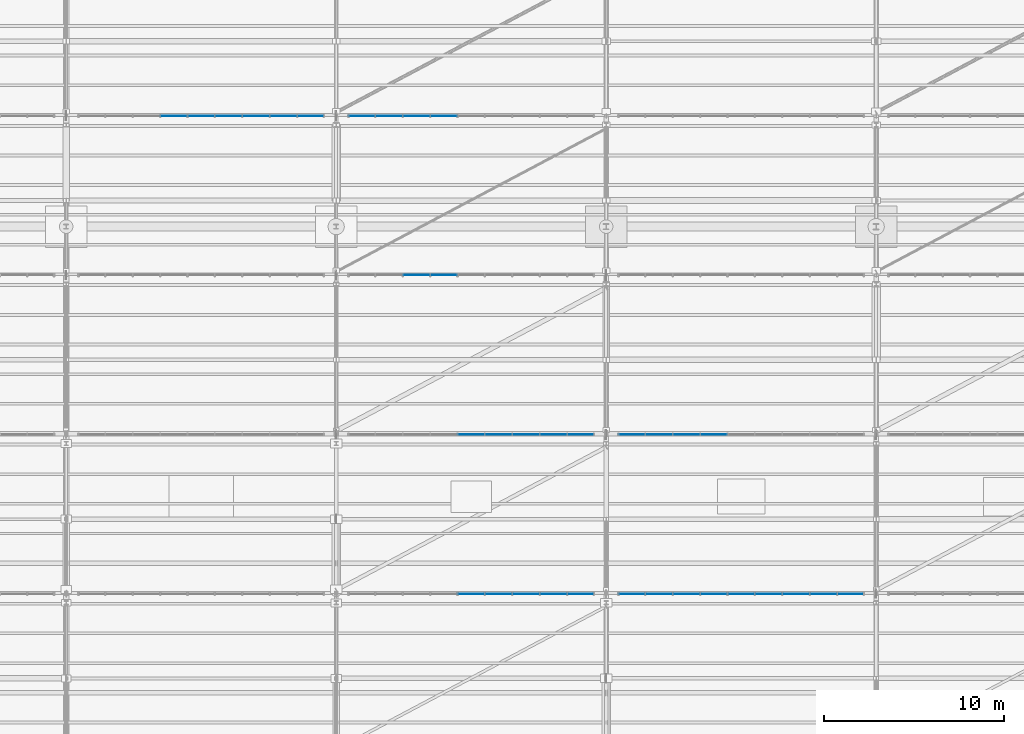
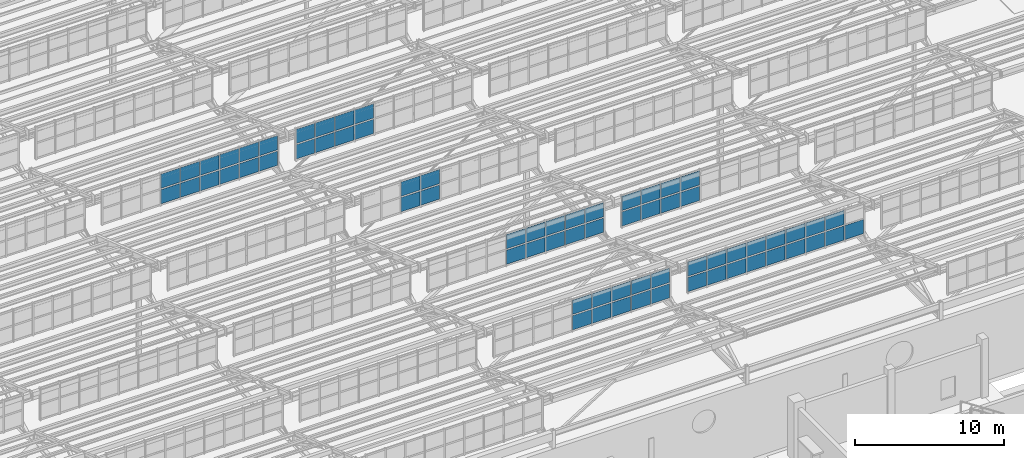
# One storey, part 173 of 285: 69 plates, 7 elements without a shape of their own.
"""IFC4 building model written with IfcOpenShell, lengths in metres."""

from ifc_helpers import new_model, si_unit, direction, frame, origin, origin_2d, place, context, subcontext, project, spatial, rectangle, extrude, material, layer, layer_set, type_object, element, aggregate, save


model = new_model("IFC4")

# Units and contexts
model_context = context("Model", 3, precision=1e-05, world=origin(), true_north=direction((0.0, 1.0)))
body_context = subcontext(model_context, "Body", "Model", "MODEL_VIEW")
ifc_project = project(units=[si_unit("LENGTHUNIT", "METRE"), si_unit("AREAUNIT", "SQUARE_METRE"), si_unit("VOLUMEUNIT", "CUBIC_METRE"), si_unit("PLANEANGLEUNIT", "RADIAN"), si_unit("MASSUNIT", "GRAM", prefix="KILO")], contexts=[model_context])

# Site, building, storey
site_placement = place(None, origin())
site = spatial("IfcSite", under=ifc_project, at=site_placement, CompositionType="ELEMENT")
building_placement = place(site_placement, origin())
building = spatial("IfcBuilding", under=site, at=building_placement, Name="Solanera Park Tramway Depot", CompositionType="ELEMENT")
storey_placement = place(building_placement, origin())
storey = spatial("IfcBuildingStorey", under=building, at=storey_placement, Name="L00", CompositionType="ELEMENT", Elevation=0.0)

# Curtain wall, plates
ifc_material_1 = material(Name="Bronze-anodised thermally broken aluminium curtain wall", Category="aluminium")
curtain_wall_type = type_object("IfcCurtainWallType", Name="Sawtooth Clerestory Monitor Curtain Wall", PredefinedType="NOTDEFINED", material=ifc_material_1)
curtain_wall_1_placement = place(storey_placement, origin())
curtain_wall_1 = element("IfcCurtainWall", 1, at=curtain_wall_1_placement, inside=storey, type_object=curtain_wall_type, Name="L00 Sawtooth Clerestory Monitor Curtain Wall #009", PredefinedType="NOTDEFINED")
ifc_material_2 = material(Name="Low-E laminated solar-control double glazing", Category="glass")
ifc_layer = layer(ifc_material_2, 0.028076171875)
ifc_layer_set = layer_set([ifc_layer], Name="Low-E laminated solar-control double glazing")
plate_type = type_object("IfcPlateType", Name="Curtain Wall Double Glazing Panel 28", PredefinedType="CURTAIN_PANEL", material=ifc_layer_set)
plate_1_placement = place(storey_placement, frame((97.5, 64.60009765625, 7.862060546875), z_axis=(0.0, 0.0, 1.0), x_axis=(1.0, 0.0, 0.0)))
plate_1 = element("IfcPlate", 2, at=plate_1_placement, type_object=plate_type, Name="CW-L00-009 Glazing Panel R1.C5", PredefinedType="CURTAIN_PANEL", context=body_context, shape_type="SweptSolid", body=[
    extrude(rectangle(XDim=1.47021484375, YDim=0.028076171875, at=origin_2d()), origin(), (0.0, 0.0, 1.0), 1.16650390625),
])
plate_2_placement = place(storey_placement, frame((99.022216796875, 64.60009765625, 7.862060546875), z_axis=(0.0, 0.0, 1.0), x_axis=(1.0, 0.0, 0.0)))
plate_2 = element("IfcPlate", 3, at=plate_2_placement, type_object=plate_type, Name="CW-L00-009 Glazing Panel R1.C6", PredefinedType="CURTAIN_PANEL", context=body_context, shape_type="SweptSolid", body=[
    extrude(rectangle(XDim=1.47021484375, YDim=0.028076171875, at=origin_2d()), origin(), (0.0, 0.0, 1.0), 1.16650390625),
])
plate_3_placement = place(storey_placement, frame((100.54443359375, 64.60009765625, 7.862060546875), z_axis=(0.0, 0.0, 1.0), x_axis=(1.0, 0.0, 0.0)))
plate_3 = element("IfcPlate", 4, at=plate_3_placement, type_object=plate_type, Name="CW-L00-009 Glazing Panel R1.C7", PredefinedType="CURTAIN_PANEL", context=body_context, shape_type="SweptSolid", body=[
    extrude(rectangle(XDim=1.47021484375, YDim=0.028076171875, at=origin_2d()), origin(), (0.0, 0.0, 1.0), 1.16650390625),
])
plate_4_placement = place(storey_placement, frame((102.066650390625, 64.60009765625, 7.862060546875), z_axis=(0.0, 0.0, 1.0), x_axis=(1.0, 0.0, 0.0)))
plate_4 = element("IfcPlate", 5, at=plate_4_placement, type_object=plate_type, Name="CW-L00-009 Glazing Panel R1.C8", PredefinedType="CURTAIN_PANEL", context=body_context, shape_type="SweptSolid", body=[
    extrude(rectangle(XDim=1.47021484375, YDim=0.028076171875, at=origin_2d()), origin(), (0.0, 0.0, 1.0), 1.16650390625),
])
plate_5_placement = place(storey_placement, frame((103.572509765625, 64.60009765625, 7.862060546875), z_axis=(0.0, 0.0, 1.0), x_axis=(1.0, 0.0, 0.0)))
plate_5 = element("IfcPlate", 6, at=plate_5_placement, type_object=plate_type, Name="CW-L00-009 Glazing Panel R1.C9", PredefinedType="CURTAIN_PANEL", context=body_context, shape_type="SweptSolid", body=[
    extrude(rectangle(XDim=1.437744140625, YDim=0.028076171875, at=origin_2d()), origin(), (0.0, 0.0, 1.0), 1.16650390625),
])
plate_6_placement = place(storey_placement, frame((97.5, 64.60009765625, 9.132568359375), z_axis=(0.0, 0.0, 1.0), x_axis=(1.0, 0.0, 0.0)))
plate_6 = element("IfcPlate", 7, at=plate_6_placement, type_object=plate_type, Name="CW-L00-009 Glazing Panel R2.C5", PredefinedType="CURTAIN_PANEL", context=body_context, shape_type="SweptSolid", body=[
    extrude(rectangle(XDim=1.47021484375, YDim=0.028076171875, at=origin_2d()), origin(), (0.0, 0.0, 1.0), 1.16650390625),
])
plate_7_placement = place(storey_placement, frame((99.022216796875, 64.60009765625, 9.132568359375), z_axis=(0.0, 0.0, 1.0), x_axis=(1.0, 0.0, 0.0)))
plate_7 = element("IfcPlate", 8, at=plate_7_placement, type_object=plate_type, Name="CW-L00-009 Glazing Panel R2.C6", PredefinedType="CURTAIN_PANEL", context=body_context, shape_type="SweptSolid", body=[
    extrude(rectangle(XDim=1.47021484375, YDim=0.028076171875, at=origin_2d()), origin(), (0.0, 0.0, 1.0), 1.16650390625),
])
plate_8_placement = place(storey_placement, frame((100.54443359375, 64.60009765625, 9.132568359375), z_axis=(0.0, 0.0, 1.0), x_axis=(1.0, 0.0, 0.0)))
plate_8 = element("IfcPlate", 9, at=plate_8_placement, type_object=plate_type, Name="CW-L00-009 Glazing Panel R2.C7", PredefinedType="CURTAIN_PANEL", context=body_context, shape_type="SweptSolid", body=[
    extrude(rectangle(XDim=1.47021484375, YDim=0.028076171875, at=origin_2d()), origin(), (0.0, 0.0, 1.0), 1.16650390625),
])
plate_9_placement = place(storey_placement, frame((102.066650390625, 64.60009765625, 9.132568359375), z_axis=(0.0, 0.0, 1.0), x_axis=(1.0, 0.0, 0.0)))
plate_9 = element("IfcPlate", 10, at=plate_9_placement, type_object=plate_type, Name="CW-L00-009 Glazing Panel R2.C8", PredefinedType="CURTAIN_PANEL", context=body_context, shape_type="SweptSolid", body=[
    extrude(rectangle(XDim=1.47021484375, YDim=0.028076171875, at=origin_2d()), origin(), (0.0, 0.0, 1.0), 1.16650390625),
])
plate_10_placement = place(storey_placement, frame((103.572509765625, 64.60009765625, 9.132568359375), z_axis=(0.0, 0.0, 1.0), x_axis=(1.0, 0.0, 0.0)))
plate_10 = element("IfcPlate", 11, at=plate_10_placement, type_object=plate_type, Name="CW-L00-009 Glazing Panel R2.C9", PredefinedType="CURTAIN_PANEL", context=body_context, shape_type="SweptSolid", body=[
    extrude(rectangle(XDim=1.437744140625, YDim=0.028076171875, at=origin_2d()), origin(), (0.0, 0.0, 1.0), 1.16650390625),
])
aggregate(curtain_wall_1, [plate_1, plate_2, plate_3, plate_4, plate_5, plate_6, plate_7, plate_8, plate_9, plate_10])

curtain_wall_2_placement = place(storey_placement, origin())
curtain_wall_2 = element("IfcCurtainWall", 12, at=curtain_wall_2_placement, inside=storey, type_object=curtain_wall_type, Name="L00 Sawtooth Clerestory Monitor Curtain Wall #010", PredefinedType="NOTDEFINED")
plate_11_placement = place(storey_placement, frame((106.427490234375, 64.60009765625, 7.862060546875), z_axis=(0.0, 0.0, 1.0), x_axis=(1.0, 0.0, 0.0)))
plate_11 = element("IfcPlate", 13, at=plate_11_placement, type_object=plate_type, Name="CW-L00-010 Glazing Panel R1.C1", PredefinedType="CURTAIN_PANEL", context=body_context, shape_type="SweptSolid", body=[
    extrude(rectangle(XDim=1.437744140625, YDim=0.028076171875, at=origin_2d()), origin(), (0.0, 0.0, 1.0), 1.16650390625),
])
plate_12_placement = place(storey_placement, frame((107.933349609375, 64.60009765625, 7.862060546875), z_axis=(0.0, 0.0, 1.0), x_axis=(1.0, 0.0, 0.0)))
plate_12 = element("IfcPlate", 14, at=plate_12_placement, type_object=plate_type, Name="CW-L00-010 Glazing Panel R1.C2", PredefinedType="CURTAIN_PANEL", context=body_context, shape_type="SweptSolid", body=[
    extrude(rectangle(XDim=1.47021484375, YDim=0.028076171875, at=origin_2d()), origin(), (0.0, 0.0, 1.0), 1.16650390625),
])
plate_13_placement = place(storey_placement, frame((109.45556640625, 64.60009765625, 7.862060546875), z_axis=(0.0, 0.0, 1.0), x_axis=(1.0, 0.0, 0.0)))
plate_13 = element("IfcPlate", 15, at=plate_13_placement, type_object=plate_type, Name="CW-L00-010 Glazing Panel R1.C3", PredefinedType="CURTAIN_PANEL", context=body_context, shape_type="SweptSolid", body=[
    extrude(rectangle(XDim=1.47021484375, YDim=0.028076171875, at=origin_2d()), origin(), (0.0, 0.0, 1.0), 1.16650390625),
])
plate_14_placement = place(storey_placement, frame((110.977783203125, 64.60009765625, 7.862060546875), z_axis=(0.0, 0.0, 1.0), x_axis=(1.0, 0.0, 0.0)))
plate_14 = element("IfcPlate", 16, at=plate_14_placement, type_object=plate_type, Name="CW-L00-010 Glazing Panel R1.C4", PredefinedType="CURTAIN_PANEL", context=body_context, shape_type="SweptSolid", body=[
    extrude(rectangle(XDim=1.47021484375, YDim=0.028076171875, at=origin_2d()), origin(), (0.0, 0.0, 1.0), 1.16650390625),
])
plate_15_placement = place(storey_placement, frame((112.5, 64.60009765625, 7.862060546875), z_axis=(0.0, 0.0, 1.0), x_axis=(1.0, 0.0, 0.0)))
plate_15 = element("IfcPlate", 17, at=plate_15_placement, type_object=plate_type, Name="CW-L00-010 Glazing Panel R1.C5", PredefinedType="CURTAIN_PANEL", context=body_context, shape_type="SweptSolid", body=[
    extrude(rectangle(XDim=1.47021484375, YDim=0.028076171875, at=origin_2d()), origin(), (0.0, 0.0, 1.0), 1.16650390625),
])
plate_16_placement = place(storey_placement, frame((114.022216796875, 64.60009765625, 7.862060546875), z_axis=(0.0, 0.0, 1.0), x_axis=(1.0, 0.0, 0.0)))
plate_16 = element("IfcPlate", 18, at=plate_16_placement, type_object=plate_type, Name="CW-L00-010 Glazing Panel R1.C6", PredefinedType="CURTAIN_PANEL", context=body_context, shape_type="SweptSolid", body=[
    extrude(rectangle(XDim=1.47021484375, YDim=0.028076171875, at=origin_2d()), origin(), (0.0, 0.0, 1.0), 1.16650390625),
])
plate_17_placement = place(storey_placement, frame((115.54443359375, 64.60009765625, 7.862060546875), z_axis=(0.0, 0.0, 1.0), x_axis=(1.0, 0.0, 0.0)))
plate_17 = element("IfcPlate", 19, at=plate_17_placement, type_object=plate_type, Name="CW-L00-010 Glazing Panel R1.C7", PredefinedType="CURTAIN_PANEL", context=body_context, shape_type="SweptSolid", body=[
    extrude(rectangle(XDim=1.47021484375, YDim=0.028076171875, at=origin_2d()), origin(), (0.0, 0.0, 1.0), 1.16650390625),
])
plate_18_placement = place(storey_placement, frame((117.066650390625, 64.60009765625, 7.862060546875), z_axis=(0.0, 0.0, 1.0), x_axis=(1.0, 0.0, 0.0)))
plate_18 = element("IfcPlate", 20, at=plate_18_placement, type_object=plate_type, Name="CW-L00-010 Glazing Panel R1.C8", PredefinedType="CURTAIN_PANEL", context=body_context, shape_type="SweptSolid", body=[
    extrude(rectangle(XDim=1.47021484375, YDim=0.028076171875, at=origin_2d()), origin(), (0.0, 0.0, 1.0), 1.16650390625),
])
plate_19_placement = place(storey_placement, frame((118.572509765625, 64.60009765625, 7.862060546875), z_axis=(0.0, 0.0, 1.0), x_axis=(1.0, 0.0, 0.0)))
plate_19 = element("IfcPlate", 21, at=plate_19_placement, type_object=plate_type, Name="CW-L00-010 Glazing Panel R1.C9", PredefinedType="CURTAIN_PANEL", context=body_context, shape_type="SweptSolid", body=[
    extrude(rectangle(XDim=1.437744140625, YDim=0.028076171875, at=origin_2d()), origin(), (0.0, 0.0, 1.0), 1.16650390625),
])
plate_20_placement = place(storey_placement, frame((106.427490234375, 64.60009765625, 9.132568359375), z_axis=(0.0, 0.0, 1.0), x_axis=(1.0, 0.0, 0.0)))
plate_20 = element("IfcPlate", 22, at=plate_20_placement, type_object=plate_type, Name="CW-L00-010 Glazing Panel R2.C1", PredefinedType="CURTAIN_PANEL", context=body_context, shape_type="SweptSolid", body=[
    extrude(rectangle(XDim=1.437744140625, YDim=0.028076171875, at=origin_2d()), origin(), (0.0, 0.0, 1.0), 1.16650390625),
])
plate_21_placement = place(storey_placement, frame((107.933349609375, 64.60009765625, 9.132568359375), z_axis=(0.0, 0.0, 1.0), x_axis=(1.0, 0.0, 0.0)))
plate_21 = element("IfcPlate", 23, at=plate_21_placement, type_object=plate_type, Name="CW-L00-010 Glazing Panel R2.C2", PredefinedType="CURTAIN_PANEL", context=body_context, shape_type="SweptSolid", body=[
    extrude(rectangle(XDim=1.47021484375, YDim=0.028076171875, at=origin_2d()), origin(), (0.0, 0.0, 1.0), 1.16650390625),
])
plate_22_placement = place(storey_placement, frame((109.45556640625, 64.60009765625, 9.132568359375), z_axis=(0.0, 0.0, 1.0), x_axis=(1.0, 0.0, 0.0)))
plate_22 = element("IfcPlate", 24, at=plate_22_placement, type_object=plate_type, Name="CW-L00-010 Glazing Panel R2.C3", PredefinedType="CURTAIN_PANEL", context=body_context, shape_type="SweptSolid", body=[
    extrude(rectangle(XDim=1.47021484375, YDim=0.028076171875, at=origin_2d()), origin(), (0.0, 0.0, 1.0), 1.16650390625),
])
plate_23_placement = place(storey_placement, frame((110.977783203125, 64.60009765625, 9.132568359375), z_axis=(0.0, 0.0, 1.0), x_axis=(1.0, 0.0, 0.0)))
plate_23 = element("IfcPlate", 25, at=plate_23_placement, type_object=plate_type, Name="CW-L00-010 Glazing Panel R2.C4", PredefinedType="CURTAIN_PANEL", context=body_context, shape_type="SweptSolid", body=[
    extrude(rectangle(XDim=1.47021484375, YDim=0.028076171875, at=origin_2d()), origin(), (0.0, 0.0, 1.0), 1.16650390625),
])
plate_24_placement = place(storey_placement, frame((112.5, 64.60009765625, 9.132568359375), z_axis=(0.0, 0.0, 1.0), x_axis=(1.0, 0.0, 0.0)))
plate_24 = element("IfcPlate", 26, at=plate_24_placement, type_object=plate_type, Name="CW-L00-010 Glazing Panel R2.C5", PredefinedType="CURTAIN_PANEL", context=body_context, shape_type="SweptSolid", body=[
    extrude(rectangle(XDim=1.47021484375, YDim=0.028076171875, at=origin_2d()), origin(), (0.0, 0.0, 1.0), 1.16650390625),
])
plate_25_placement = place(storey_placement, frame((114.022216796875, 64.60009765625, 9.132568359375), z_axis=(0.0, 0.0, 1.0), x_axis=(1.0, 0.0, 0.0)))
plate_25 = element("IfcPlate", 27, at=plate_25_placement, type_object=plate_type, Name="CW-L00-010 Glazing Panel R2.C6", PredefinedType="CURTAIN_PANEL", context=body_context, shape_type="SweptSolid", body=[
    extrude(rectangle(XDim=1.47021484375, YDim=0.028076171875, at=origin_2d()), origin(), (0.0, 0.0, 1.0), 1.16650390625),
])
plate_26_placement = place(storey_placement, frame((115.54443359375, 64.60009765625, 9.132568359375), z_axis=(0.0, 0.0, 1.0), x_axis=(1.0, 0.0, 0.0)))
plate_26 = element("IfcPlate", 28, at=plate_26_placement, type_object=plate_type, Name="CW-L00-010 Glazing Panel R2.C7", PredefinedType="CURTAIN_PANEL", context=body_context, shape_type="SweptSolid", body=[
    extrude(rectangle(XDim=1.47021484375, YDim=0.028076171875, at=origin_2d()), origin(), (0.0, 0.0, 1.0), 1.16650390625),
])
plate_27_placement = place(storey_placement, frame((117.066650390625, 64.60009765625, 9.132568359375), z_axis=(0.0, 0.0, 1.0), x_axis=(1.0, 0.0, 0.0)))
plate_27 = element("IfcPlate", 29, at=plate_27_placement, type_object=plate_type, Name="CW-L00-010 Glazing Panel R2.C8", PredefinedType="CURTAIN_PANEL", context=body_context, shape_type="SweptSolid", body=[
    extrude(rectangle(XDim=1.47021484375, YDim=0.028076171875, at=origin_2d()), origin(), (0.0, 0.0, 1.0), 1.16650390625),
])
aggregate(curtain_wall_2, [plate_11, plate_12, plate_13, plate_14, plate_15, plate_16, plate_17, plate_18, plate_19, plate_20, plate_21, plate_22, plate_23, plate_24, plate_25, plate_26, plate_27])

curtain_wall_3_placement = place(storey_placement, origin())
curtain_wall_3 = element("IfcCurtainWall", 30, at=curtain_wall_3_placement, inside=storey, type_object=curtain_wall_type, Name="L00 Sawtooth Clerestory Monitor Curtain Wall #017", PredefinedType="NOTDEFINED")
plate_28_placement = place(storey_placement, frame((97.5, 73.449951171875, 7.862060546875), z_axis=(0.0, 0.0, 1.0), x_axis=(1.0, 0.0, 0.0)))
plate_28 = element("IfcPlate", 31, at=plate_28_placement, type_object=plate_type, Name="CW-L00-017 Glazing Panel R1.C5", PredefinedType="CURTAIN_PANEL", context=body_context, shape_type="SweptSolid", body=[
    extrude(rectangle(XDim=1.47021484375, YDim=0.028076171875, at=origin_2d()), origin(), (0.0, 0.0, 1.0), 1.16650390625),
])
plate_29_placement = place(storey_placement, frame((99.022216796875, 73.449951171875, 7.862060546875), z_axis=(0.0, 0.0, 1.0), x_axis=(1.0, 0.0, 0.0)))
plate_29 = element("IfcPlate", 32, at=plate_29_placement, type_object=plate_type, Name="CW-L00-017 Glazing Panel R1.C6", PredefinedType="CURTAIN_PANEL", context=body_context, shape_type="SweptSolid", body=[
    extrude(rectangle(XDim=1.47021484375, YDim=0.028076171875, at=origin_2d()), origin(), (0.0, 0.0, 1.0), 1.16650390625),
])
plate_30_placement = place(storey_placement, frame((100.54443359375, 73.449951171875, 7.862060546875), z_axis=(0.0, 0.0, 1.0), x_axis=(1.0, 0.0, 0.0)))
plate_30 = element("IfcPlate", 33, at=plate_30_placement, type_object=plate_type, Name="CW-L00-017 Glazing Panel R1.C7", PredefinedType="CURTAIN_PANEL", context=body_context, shape_type="SweptSolid", body=[
    extrude(rectangle(XDim=1.47021484375, YDim=0.028076171875, at=origin_2d()), origin(), (0.0, 0.0, 1.0), 1.16650390625),
])
plate_31_placement = place(storey_placement, frame((102.066650390625, 73.449951171875, 7.862060546875), z_axis=(0.0, 0.0, 1.0), x_axis=(1.0, 0.0, 0.0)))
plate_31 = element("IfcPlate", 34, at=plate_31_placement, type_object=plate_type, Name="CW-L00-017 Glazing Panel R1.C8", PredefinedType="CURTAIN_PANEL", context=body_context, shape_type="SweptSolid", body=[
    extrude(rectangle(XDim=1.47021484375, YDim=0.028076171875, at=origin_2d()), origin(), (0.0, 0.0, 1.0), 1.16650390625),
])
plate_32_placement = place(storey_placement, frame((103.572509765625, 73.449951171875, 7.862060546875), z_axis=(0.0, 0.0, 1.0), x_axis=(1.0, 0.0, 0.0)))
plate_32 = element("IfcPlate", 35, at=plate_32_placement, type_object=plate_type, Name="CW-L00-017 Glazing Panel R1.C9", PredefinedType="CURTAIN_PANEL", context=body_context, shape_type="SweptSolid", body=[
    extrude(rectangle(XDim=1.437744140625, YDim=0.028076171875, at=origin_2d()), origin(), (0.0, 0.0, 1.0), 1.16650390625),
])
plate_33_placement = place(storey_placement, frame((97.5, 73.449951171875, 9.132568359375), z_axis=(0.0, 0.0, 1.0), x_axis=(1.0, 0.0, 0.0)))
plate_33 = element("IfcPlate", 36, at=plate_33_placement, type_object=plate_type, Name="CW-L00-017 Glazing Panel R2.C5", PredefinedType="CURTAIN_PANEL", context=body_context, shape_type="SweptSolid", body=[
    extrude(rectangle(XDim=1.47021484375, YDim=0.028076171875, at=origin_2d()), origin(), (0.0, 0.0, 1.0), 1.16650390625),
])
plate_34_placement = place(storey_placement, frame((99.022216796875, 73.449951171875, 9.132568359375), z_axis=(0.0, 0.0, 1.0), x_axis=(1.0, 0.0, 0.0)))
plate_34 = element("IfcPlate", 37, at=plate_34_placement, type_object=plate_type, Name="CW-L00-017 Glazing Panel R2.C6", PredefinedType="CURTAIN_PANEL", context=body_context, shape_type="SweptSolid", body=[
    extrude(rectangle(XDim=1.47021484375, YDim=0.028076171875, at=origin_2d()), origin(), (0.0, 0.0, 1.0), 1.16650390625),
])
plate_35_placement = place(storey_placement, frame((100.54443359375, 73.449951171875, 9.132568359375), z_axis=(0.0, 0.0, 1.0), x_axis=(1.0, 0.0, 0.0)))
plate_35 = element("IfcPlate", 38, at=plate_35_placement, type_object=plate_type, Name="CW-L00-017 Glazing Panel R2.C7", PredefinedType="CURTAIN_PANEL", context=body_context, shape_type="SweptSolid", body=[
    extrude(rectangle(XDim=1.47021484375, YDim=0.028076171875, at=origin_2d()), origin(), (0.0, 0.0, 1.0), 1.16650390625),
])
plate_36_placement = place(storey_placement, frame((102.066650390625, 73.449951171875, 9.132568359375), z_axis=(0.0, 0.0, 1.0), x_axis=(1.0, 0.0, 0.0)))
plate_36 = element("IfcPlate", 39, at=plate_36_placement, type_object=plate_type, Name="CW-L00-017 Glazing Panel R2.C8", PredefinedType="CURTAIN_PANEL", context=body_context, shape_type="SweptSolid", body=[
    extrude(rectangle(XDim=1.47021484375, YDim=0.028076171875, at=origin_2d()), origin(), (0.0, 0.0, 1.0), 1.16650390625),
])
plate_37_placement = place(storey_placement, frame((103.572509765625, 73.449951171875, 9.132568359375), z_axis=(0.0, 0.0, 1.0), x_axis=(1.0, 0.0, 0.0)))
plate_37 = element("IfcPlate", 40, at=plate_37_placement, type_object=plate_type, Name="CW-L00-017 Glazing Panel R2.C9", PredefinedType="CURTAIN_PANEL", context=body_context, shape_type="SweptSolid", body=[
    extrude(rectangle(XDim=1.437744140625, YDim=0.028076171875, at=origin_2d()), origin(), (0.0, 0.0, 1.0), 1.16650390625),
])
aggregate(curtain_wall_3, [plate_28, plate_29, plate_30, plate_31, plate_32, plate_33, plate_34, plate_35, plate_36, plate_37])

curtain_wall_4_placement = place(storey_placement, origin())
curtain_wall_4 = element("IfcCurtainWall", 41, at=curtain_wall_4_placement, inside=storey, type_object=curtain_wall_type, Name="L00 Sawtooth Clerestory Monitor Curtain Wall #018", PredefinedType="NOTDEFINED")
plate_38_placement = place(storey_placement, frame((106.427490234375, 73.449951171875, 7.862060546875), z_axis=(0.0, 0.0, 1.0), x_axis=(1.0, 0.0, 0.0)))
plate_38 = element("IfcPlate", 42, at=plate_38_placement, type_object=plate_type, Name="CW-L00-018 Glazing Panel R1.C1", PredefinedType="CURTAIN_PANEL", context=body_context, shape_type="SweptSolid", body=[
    extrude(rectangle(XDim=1.437744140625, YDim=0.028076171875, at=origin_2d()), origin(), (0.0, 0.0, 1.0), 1.16650390625),
])
plate_39_placement = place(storey_placement, frame((107.933349609375, 73.449951171875, 7.862060546875), z_axis=(0.0, 0.0, 1.0), x_axis=(1.0, 0.0, 0.0)))
plate_39 = element("IfcPlate", 43, at=plate_39_placement, type_object=plate_type, Name="CW-L00-018 Glazing Panel R1.C2", PredefinedType="CURTAIN_PANEL", context=body_context, shape_type="SweptSolid", body=[
    extrude(rectangle(XDim=1.47021484375, YDim=0.028076171875, at=origin_2d()), origin(), (0.0, 0.0, 1.0), 1.16650390625),
])
plate_40_placement = place(storey_placement, frame((109.45556640625, 73.449951171875, 7.862060546875), z_axis=(0.0, 0.0, 1.0), x_axis=(1.0, 0.0, 0.0)))
plate_40 = element("IfcPlate", 44, at=plate_40_placement, type_object=plate_type, Name="CW-L00-018 Glazing Panel R1.C3", PredefinedType="CURTAIN_PANEL", context=body_context, shape_type="SweptSolid", body=[
    extrude(rectangle(XDim=1.47021484375, YDim=0.028076171875, at=origin_2d()), origin(), (0.0, 0.0, 1.0), 1.16650390625),
])
plate_41_placement = place(storey_placement, frame((110.977783203125, 73.449951171875, 7.862060546875), z_axis=(0.0, 0.0, 1.0), x_axis=(1.0, 0.0, 0.0)))
plate_41 = element("IfcPlate", 45, at=plate_41_placement, type_object=plate_type, Name="CW-L00-018 Glazing Panel R1.C4", PredefinedType="CURTAIN_PANEL", context=body_context, shape_type="SweptSolid", body=[
    extrude(rectangle(XDim=1.47021484375, YDim=0.028076171875, at=origin_2d()), origin(), (0.0, 0.0, 1.0), 1.16650390625),
])
plate_42_placement = place(storey_placement, frame((106.427490234375, 73.449951171875, 9.132568359375), z_axis=(0.0, 0.0, 1.0), x_axis=(1.0, 0.0, 0.0)))
plate_42 = element("IfcPlate", 46, at=plate_42_placement, type_object=plate_type, Name="CW-L00-018 Glazing Panel R2.C1", PredefinedType="CURTAIN_PANEL", context=body_context, shape_type="SweptSolid", body=[
    extrude(rectangle(XDim=1.437744140625, YDim=0.028076171875, at=origin_2d()), origin(), (0.0, 0.0, 1.0), 1.16650390625),
])
plate_43_placement = place(storey_placement, frame((107.933349609375, 73.449951171875, 9.132568359375), z_axis=(0.0, 0.0, 1.0), x_axis=(1.0, 0.0, 0.0)))
plate_43 = element("IfcPlate", 47, at=plate_43_placement, type_object=plate_type, Name="CW-L00-018 Glazing Panel R2.C2", PredefinedType="CURTAIN_PANEL", context=body_context, shape_type="SweptSolid", body=[
    extrude(rectangle(XDim=1.47021484375, YDim=0.028076171875, at=origin_2d()), origin(), (0.0, 0.0, 1.0), 1.16650390625),
])
plate_44_placement = place(storey_placement, frame((109.45556640625, 73.449951171875, 9.132568359375), z_axis=(0.0, 0.0, 1.0), x_axis=(1.0, 0.0, 0.0)))
plate_44 = element("IfcPlate", 48, at=plate_44_placement, type_object=plate_type, Name="CW-L00-018 Glazing Panel R2.C3", PredefinedType="CURTAIN_PANEL", context=body_context, shape_type="SweptSolid", body=[
    extrude(rectangle(XDim=1.47021484375, YDim=0.028076171875, at=origin_2d()), origin(), (0.0, 0.0, 1.0), 1.16650390625),
])
plate_45_placement = place(storey_placement, frame((110.977783203125, 73.449951171875, 9.132568359375), z_axis=(0.0, 0.0, 1.0), x_axis=(1.0, 0.0, 0.0)))
plate_45 = element("IfcPlate", 49, at=plate_45_placement, type_object=plate_type, Name="CW-L00-018 Glazing Panel R2.C4", PredefinedType="CURTAIN_PANEL", context=body_context, shape_type="SweptSolid", body=[
    extrude(rectangle(XDim=1.47021484375, YDim=0.028076171875, at=origin_2d()), origin(), (0.0, 0.0, 1.0), 1.16650390625),
])
aggregate(curtain_wall_4, [plate_38, plate_39, plate_40, plate_41, plate_42, plate_43, plate_44, plate_45])

curtain_wall_5_placement = place(storey_placement, origin())
curtain_wall_5 = element("IfcCurtainWall", 50, at=curtain_wall_5_placement, inside=storey, type_object=curtain_wall_type, Name="L00 Sawtooth Clerestory Monitor Curtain Wall #025", PredefinedType="NOTDEFINED")
plate_46_placement = place(storey_placement, frame((94.45556640625, 82.300048828125, 7.862060546875), z_axis=(0.0, 0.0, 1.0), x_axis=(1.0, 0.0, 0.0)))
plate_46 = element("IfcPlate", 51, at=plate_46_placement, type_object=plate_type, Name="CW-L00-025 Glazing Panel R1.C3", PredefinedType="CURTAIN_PANEL", context=body_context, shape_type="SweptSolid", body=[
    extrude(rectangle(XDim=1.47021484375, YDim=0.028076171875, at=origin_2d()), origin(), (0.0, 0.0, 1.0), 1.16650390625),
])
plate_47_placement = place(storey_placement, frame((95.977783203125, 82.300048828125, 7.862060546875), z_axis=(0.0, 0.0, 1.0), x_axis=(1.0, 0.0, 0.0)))
plate_47 = element("IfcPlate", 52, at=plate_47_placement, type_object=plate_type, Name="CW-L00-025 Glazing Panel R1.C4", PredefinedType="CURTAIN_PANEL", context=body_context, shape_type="SweptSolid", body=[
    extrude(rectangle(XDim=1.47021484375, YDim=0.028076171875, at=origin_2d()), origin(), (0.0, 0.0, 1.0), 1.16650390625),
])
plate_48_placement = place(storey_placement, frame((94.45556640625, 82.300048828125, 9.132568359375), z_axis=(0.0, 0.0, 1.0), x_axis=(1.0, 0.0, 0.0)))
plate_48 = element("IfcPlate", 53, at=plate_48_placement, type_object=plate_type, Name="CW-L00-025 Glazing Panel R2.C3", PredefinedType="CURTAIN_PANEL", context=body_context, shape_type="SweptSolid", body=[
    extrude(rectangle(XDim=1.47021484375, YDim=0.028076171875, at=origin_2d()), origin(), (0.0, 0.0, 1.0), 1.16650390625),
])
plate_49_placement = place(storey_placement, frame((95.977783203125, 82.300048828125, 9.132568359375), z_axis=(0.0, 0.0, 1.0), x_axis=(1.0, 0.0, 0.0)))
plate_49 = element("IfcPlate", 54, at=plate_49_placement, type_object=plate_type, Name="CW-L00-025 Glazing Panel R2.C4", PredefinedType="CURTAIN_PANEL", context=body_context, shape_type="SweptSolid", body=[
    extrude(rectangle(XDim=1.47021484375, YDim=0.028076171875, at=origin_2d()), origin(), (0.0, 0.0, 1.0), 1.16650390625),
])
aggregate(curtain_wall_5, [plate_46, plate_47, plate_48, plate_49])

curtain_wall_6_placement = place(storey_placement, origin())
curtain_wall_6 = element("IfcCurtainWall", 55, at=curtain_wall_6_placement, inside=storey, type_object=curtain_wall_type, Name="L00 Sawtooth Clerestory Monitor Curtain Wall #032", PredefinedType="NOTDEFINED")
plate_50_placement = place(storey_placement, frame((80.977783203125, 91.14990234375, 7.862060546875), z_axis=(0.0, 0.0, 1.0), x_axis=(1.0, 0.0, 0.0)))
plate_50 = element("IfcPlate", 56, at=plate_50_placement, type_object=plate_type, Name="CW-L00-032 Glazing Panel R1.C4", PredefinedType="CURTAIN_PANEL", context=body_context, shape_type="SweptSolid", body=[
    extrude(rectangle(XDim=1.47021484375, YDim=0.028076171875, at=origin_2d()), origin(), (0.0, 0.0, 1.0), 1.16650390625),
])
plate_51_placement = place(storey_placement, frame((82.5, 91.14990234375, 7.862060546875), z_axis=(0.0, 0.0, 1.0), x_axis=(1.0, 0.0, 0.0)))
plate_51 = element("IfcPlate", 57, at=plate_51_placement, type_object=plate_type, Name="CW-L00-032 Glazing Panel R1.C5", PredefinedType="CURTAIN_PANEL", context=body_context, shape_type="SweptSolid", body=[
    extrude(rectangle(XDim=1.47021484375, YDim=0.028076171875, at=origin_2d()), origin(), (0.0, 0.0, 1.0), 1.16650390625),
])
plate_52_placement = place(storey_placement, frame((84.022216796875, 91.14990234375, 7.862060546875), z_axis=(0.0, 0.0, 1.0), x_axis=(1.0, 0.0, 0.0)))
plate_52 = element("IfcPlate", 58, at=plate_52_placement, type_object=plate_type, Name="CW-L00-032 Glazing Panel R1.C6", PredefinedType="CURTAIN_PANEL", context=body_context, shape_type="SweptSolid", body=[
    extrude(rectangle(XDim=1.47021484375, YDim=0.028076171875, at=origin_2d()), origin(), (0.0, 0.0, 1.0), 1.16650390625),
])
plate_53_placement = place(storey_placement, frame((85.54443359375, 91.14990234375, 7.862060546875), z_axis=(0.0, 0.0, 1.0), x_axis=(1.0, 0.0, 0.0)))
plate_53 = element("IfcPlate", 59, at=plate_53_placement, type_object=plate_type, Name="CW-L00-032 Glazing Panel R1.C7", PredefinedType="CURTAIN_PANEL", context=body_context, shape_type="SweptSolid", body=[
    extrude(rectangle(XDim=1.47021484375, YDim=0.028076171875, at=origin_2d()), origin(), (0.0, 0.0, 1.0), 1.16650390625),
])
plate_54_placement = place(storey_placement, frame((87.066650390625, 91.14990234375, 7.862060546875), z_axis=(0.0, 0.0, 1.0), x_axis=(1.0, 0.0, 0.0)))
plate_54 = element("IfcPlate", 60, at=plate_54_placement, type_object=plate_type, Name="CW-L00-032 Glazing Panel R1.C8", PredefinedType="CURTAIN_PANEL", context=body_context, shape_type="SweptSolid", body=[
    extrude(rectangle(XDim=1.47021484375, YDim=0.028076171875, at=origin_2d()), origin(), (0.0, 0.0, 1.0), 1.16650390625),
])
plate_55_placement = place(storey_placement, frame((88.572509765625, 91.14990234375, 7.862060546875), z_axis=(0.0, 0.0, 1.0), x_axis=(1.0, 0.0, 0.0)))
plate_55 = element("IfcPlate", 61, at=plate_55_placement, type_object=plate_type, Name="CW-L00-032 Glazing Panel R1.C9", PredefinedType="CURTAIN_PANEL", context=body_context, shape_type="SweptSolid", body=[
    extrude(rectangle(XDim=1.437744140625, YDim=0.028076171875, at=origin_2d()), origin(), (0.0, 0.0, 1.0), 1.16650390625),
])
plate_56_placement = place(storey_placement, frame((80.977783203125, 91.14990234375, 9.132568359375), z_axis=(0.0, 0.0, 1.0), x_axis=(1.0, 0.0, 0.0)))
plate_56 = element("IfcPlate", 62, at=plate_56_placement, type_object=plate_type, Name="CW-L00-032 Glazing Panel R2.C4", PredefinedType="CURTAIN_PANEL", context=body_context, shape_type="SweptSolid", body=[
    extrude(rectangle(XDim=1.47021484375, YDim=0.028076171875, at=origin_2d()), origin(), (0.0, 0.0, 1.0), 1.16650390625),
])
plate_57_placement = place(storey_placement, frame((82.5, 91.14990234375, 9.132568359375), z_axis=(0.0, 0.0, 1.0), x_axis=(1.0, 0.0, 0.0)))
plate_57 = element("IfcPlate", 63, at=plate_57_placement, type_object=plate_type, Name="CW-L00-032 Glazing Panel R2.C5", PredefinedType="CURTAIN_PANEL", context=body_context, shape_type="SweptSolid", body=[
    extrude(rectangle(XDim=1.47021484375, YDim=0.028076171875, at=origin_2d()), origin(), (0.0, 0.0, 1.0), 1.16650390625),
])
plate_58_placement = place(storey_placement, frame((84.022216796875, 91.14990234375, 9.132568359375), z_axis=(0.0, 0.0, 1.0), x_axis=(1.0, 0.0, 0.0)))
plate_58 = element("IfcPlate", 64, at=plate_58_placement, type_object=plate_type, Name="CW-L00-032 Glazing Panel R2.C6", PredefinedType="CURTAIN_PANEL", context=body_context, shape_type="SweptSolid", body=[
    extrude(rectangle(XDim=1.47021484375, YDim=0.028076171875, at=origin_2d()), origin(), (0.0, 0.0, 1.0), 1.16650390625),
])
plate_59_placement = place(storey_placement, frame((85.54443359375, 91.14990234375, 9.132568359375), z_axis=(0.0, 0.0, 1.0), x_axis=(1.0, 0.0, 0.0)))
plate_59 = element("IfcPlate", 65, at=plate_59_placement, type_object=plate_type, Name="CW-L00-032 Glazing Panel R2.C7", PredefinedType="CURTAIN_PANEL", context=body_context, shape_type="SweptSolid", body=[
    extrude(rectangle(XDim=1.47021484375, YDim=0.028076171875, at=origin_2d()), origin(), (0.0, 0.0, 1.0), 1.16650390625),
])
plate_60_placement = place(storey_placement, frame((87.066650390625, 91.14990234375, 9.132568359375), z_axis=(0.0, 0.0, 1.0), x_axis=(1.0, 0.0, 0.0)))
plate_60 = element("IfcPlate", 66, at=plate_60_placement, type_object=plate_type, Name="CW-L00-032 Glazing Panel R2.C8", PredefinedType="CURTAIN_PANEL", context=body_context, shape_type="SweptSolid", body=[
    extrude(rectangle(XDim=1.47021484375, YDim=0.028076171875, at=origin_2d()), origin(), (0.0, 0.0, 1.0), 1.16650390625),
])
plate_61_placement = place(storey_placement, frame((88.572509765625, 91.14990234375, 9.132568359375), z_axis=(0.0, 0.0, 1.0), x_axis=(1.0, 0.0, 0.0)))
plate_61 = element("IfcPlate", 67, at=plate_61_placement, type_object=plate_type, Name="CW-L00-032 Glazing Panel R2.C9", PredefinedType="CURTAIN_PANEL", context=body_context, shape_type="SweptSolid", body=[
    extrude(rectangle(XDim=1.437744140625, YDim=0.028076171875, at=origin_2d()), origin(), (0.0, 0.0, 1.0), 1.16650390625),
])
aggregate(curtain_wall_6, [plate_50, plate_51, plate_52, plate_53, plate_54, plate_55, plate_56, plate_57, plate_58, plate_59, plate_60, plate_61])

curtain_wall_7_placement = place(storey_placement, origin())
curtain_wall_7 = element("IfcCurtainWall", 68, at=curtain_wall_7_placement, inside=storey, type_object=curtain_wall_type, Name="L00 Sawtooth Clerestory Monitor Curtain Wall #033", PredefinedType="NOTDEFINED")
plate_62_placement = place(storey_placement, frame((91.427490234375, 91.14990234375, 7.862060546875), z_axis=(0.0, 0.0, 1.0), x_axis=(1.0, 0.0, 0.0)))
plate_62 = element("IfcPlate", 69, at=plate_62_placement, type_object=plate_type, Name="CW-L00-033 Glazing Panel R1.C1", PredefinedType="CURTAIN_PANEL", context=body_context, shape_type="SweptSolid", body=[
    extrude(rectangle(XDim=1.437744140625, YDim=0.028076171875, at=origin_2d()), origin(), (0.0, 0.0, 1.0), 1.16650390625),
])
plate_63_placement = place(storey_placement, frame((92.933349609375, 91.14990234375, 7.862060546875), z_axis=(0.0, 0.0, 1.0), x_axis=(1.0, 0.0, 0.0)))
plate_63 = element("IfcPlate", 70, at=plate_63_placement, type_object=plate_type, Name="CW-L00-033 Glazing Panel R1.C2", PredefinedType="CURTAIN_PANEL", context=body_context, shape_type="SweptSolid", body=[
    extrude(rectangle(XDim=1.47021484375, YDim=0.028076171875, at=origin_2d()), origin(), (0.0, 0.0, 1.0), 1.16650390625),
])
plate_64_placement = place(storey_placement, frame((94.45556640625, 91.14990234375, 7.862060546875), z_axis=(0.0, 0.0, 1.0), x_axis=(1.0, 0.0, 0.0)))
plate_64 = element("IfcPlate", 71, at=plate_64_placement, type_object=plate_type, Name="CW-L00-033 Glazing Panel R1.C3", PredefinedType="CURTAIN_PANEL", context=body_context, shape_type="SweptSolid", body=[
    extrude(rectangle(XDim=1.47021484375, YDim=0.028076171875, at=origin_2d()), origin(), (0.0, 0.0, 1.0), 1.16650390625),
])
plate_65_placement = place(storey_placement, frame((95.977783203125, 91.14990234375, 7.862060546875), z_axis=(0.0, 0.0, 1.0), x_axis=(1.0, 0.0, 0.0)))
plate_65 = element("IfcPlate", 72, at=plate_65_placement, type_object=plate_type, Name="CW-L00-033 Glazing Panel R1.C4", PredefinedType="CURTAIN_PANEL", context=body_context, shape_type="SweptSolid", body=[
    extrude(rectangle(XDim=1.47021484375, YDim=0.028076171875, at=origin_2d()), origin(), (0.0, 0.0, 1.0), 1.16650390625),
])
plate_66_placement = place(storey_placement, frame((91.427490234375, 91.14990234375, 9.132568359375), z_axis=(0.0, 0.0, 1.0), x_axis=(1.0, 0.0, 0.0)))
plate_66 = element("IfcPlate", 73, at=plate_66_placement, type_object=plate_type, Name="CW-L00-033 Glazing Panel R2.C1", PredefinedType="CURTAIN_PANEL", context=body_context, shape_type="SweptSolid", body=[
    extrude(rectangle(XDim=1.437744140625, YDim=0.028076171875, at=origin_2d()), origin(), (0.0, 0.0, 1.0), 1.16650390625),
])
plate_67_placement = place(storey_placement, frame((92.933349609375, 91.14990234375, 9.132568359375), z_axis=(0.0, 0.0, 1.0), x_axis=(1.0, 0.0, 0.0)))
plate_67 = element("IfcPlate", 74, at=plate_67_placement, type_object=plate_type, Name="CW-L00-033 Glazing Panel R2.C2", PredefinedType="CURTAIN_PANEL", context=body_context, shape_type="SweptSolid", body=[
    extrude(rectangle(XDim=1.47021484375, YDim=0.028076171875, at=origin_2d()), origin(), (0.0, 0.0, 1.0), 1.16650390625),
])
plate_68_placement = place(storey_placement, frame((94.45556640625, 91.14990234375, 9.132568359375), z_axis=(0.0, 0.0, 1.0), x_axis=(1.0, 0.0, 0.0)))
plate_68 = element("IfcPlate", 75, at=plate_68_placement, type_object=plate_type, Name="CW-L00-033 Glazing Panel R2.C3", PredefinedType="CURTAIN_PANEL", context=body_context, shape_type="SweptSolid", body=[
    extrude(rectangle(XDim=1.47021484375, YDim=0.028076171875, at=origin_2d()), origin(), (0.0, 0.0, 1.0), 1.16650390625),
])
plate_69_placement = place(storey_placement, frame((95.977783203125, 91.14990234375, 9.132568359375), z_axis=(0.0, 0.0, 1.0), x_axis=(1.0, 0.0, 0.0)))
plate_69 = element("IfcPlate", 76, at=plate_69_placement, type_object=plate_type, Name="CW-L00-033 Glazing Panel R2.C4", PredefinedType="CURTAIN_PANEL", context=body_context, shape_type="SweptSolid", body=[
    extrude(rectangle(XDim=1.47021484375, YDim=0.028076171875, at=origin_2d()), origin(), (0.0, 0.0, 1.0), 1.16650390625),
])
aggregate(curtain_wall_7, [plate_62, plate_63, plate_64, plate_65, plate_66, plate_67, plate_68, plate_69])

save(model, "model.ifc")
